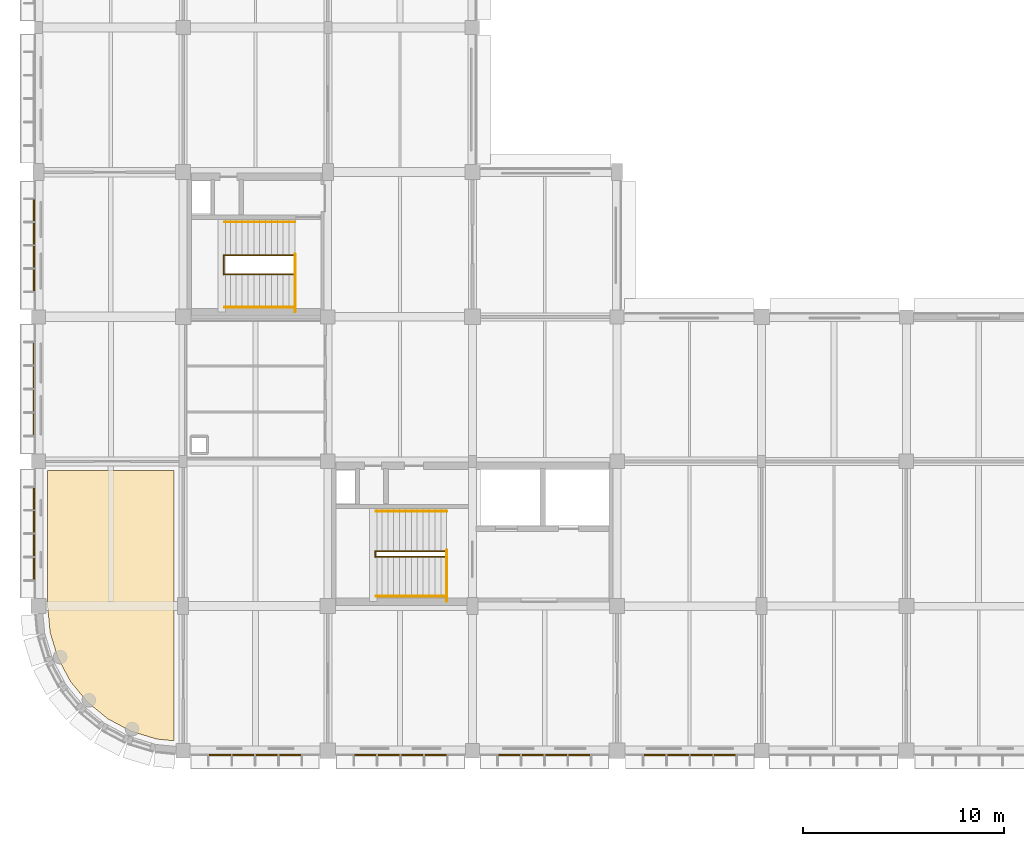
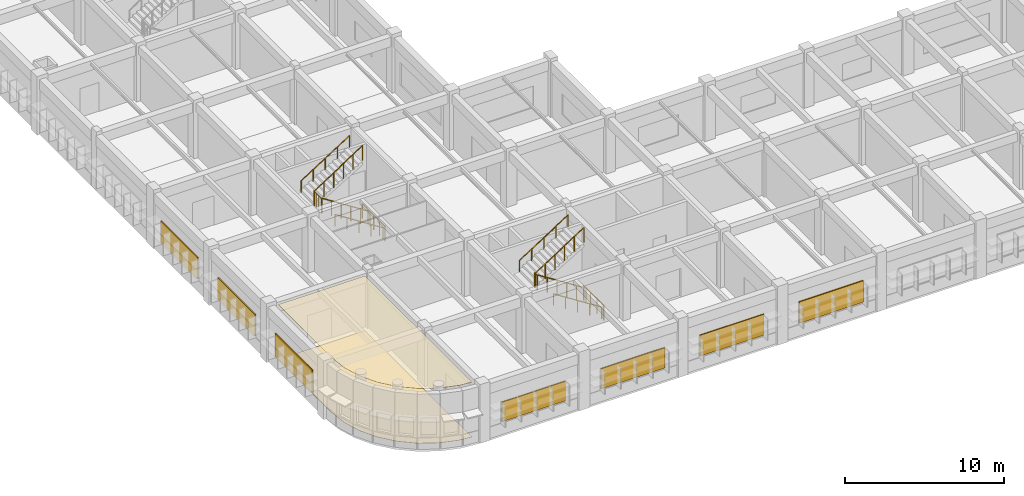
# One storey, part 55 of 61: 12 railings, 7 shading devices, 2 coverings.
"""IFC4 building model written with IfcOpenShell, lengths in metres."""

from ifc_helpers import new_model, si_unit, direction, frame, origin, origin_2d, place, context, subcontext, project, spatial, polyline, rectangle, circle, outline, extrude, material, layer, layer_set, type_object, element, save


model = new_model("IFC4")

# Units and contexts
model_context = context("Model", 3, precision=1e-05, world=origin(), true_north=direction((0.0, 1.0)))
body_context = subcontext(model_context, "Body", "Model", "MODEL_VIEW")
ifc_project = project(units=[si_unit("LENGTHUNIT", "METRE"), si_unit("AREAUNIT", "SQUARE_METRE"), si_unit("VOLUMEUNIT", "CUBIC_METRE"), si_unit("PLANEANGLEUNIT", "RADIAN"), si_unit("MASSUNIT", "GRAM", prefix="KILO")], contexts=[model_context])

# Site, building, storey
site_placement = place(None, origin())
site = spatial("IfcSite", under=ifc_project, at=site_placement, CompositionType="ELEMENT")
building_placement = place(site_placement, origin())
building = spatial("IfcBuilding", under=site, at=building_placement, Name="Thalmaran Polytechnic", CompositionType="ELEMENT")
storey_placement = place(building_placement, frame((0.0, 0.0, 9.89990234375)))
storey = spatial("IfcBuildingStorey", under=building, at=storey_placement, Name="L02", CompositionType="ELEMENT", Elevation=9.89990234375)

# Coverings
ifc_material_1 = material(Name="Acoustic mineral fibre ceiling")
ifc_layer_1 = layer(ifc_material_1, 0.02490234375, Name="Acoustic mineral fibre ceiling")
ifc_layer_set_1 = layer_set([ifc_layer_1], Name="Acoustic mineral fibre ceiling")
covering_type_1 = type_object("IfcCoveringType", Name="CV-CL01", PredefinedType="CEILING", material=ifc_layer_set_1)
covering_1_placement = place(storey_placement, frame((0.0, 0.0, 4.2001953125)))
element("IfcCovering", 1, at=covering_1_placement, inside=storey, type_object=covering_type_1, Name="Industrial Design Studio L02-01 Acoustic Ceiling", PredefinedType="CEILING", context=body_context, shape_type="SweptSolid", body=[
    extrude(outline(polyline([(6.75, 0.49658203125), (5.883544921875, 0.581787109375), (4.61767578125, 0.9658203125), (3.451171875, 1.58935546875), (2.428466796875, 2.428466796875), (1.58935546875, 3.451171875), (0.9658203125, 4.61767578125), (0.581787109375, 5.883544921875), (0.449951171875, 7.22216796875), (0.449951171875, 13.949951171875), (6.75, 13.949951171875), (6.75, 0.49658203125)])), origin(), (0.0, 0.0, 1.0), 0.02490234375),
])
ifc_material_2 = material(Name="Polished terrazzo and epoxy lab flooring")
ifc_layer_2 = layer(ifc_material_2, 0.02001953125, Name="Polished terrazzo and epoxy lab flooring")
ifc_layer_set_2 = layer_set([ifc_layer_2], Name="Polished terrazzo and epoxy lab flooring")
covering_type_2 = type_object("IfcCoveringType", Name="CV-FL01", PredefinedType="FLOORING", material=ifc_layer_set_2)
covering_2_placement = place(storey_placement, origin())
element("IfcCovering", 2, at=covering_2_placement, inside=storey, type_object=covering_type_2, Name="Industrial Design Studio L02-01 Specialist Finish Flooring", PredefinedType="FLOORING", context=body_context, shape_type="SweptSolid", body=[
    extrude(outline(polyline([(6.75, 0.49658203125), (5.883544921875, 0.581787109375), (4.61767578125, 0.9658203125), (3.451171875, 1.58935546875), (2.428466796875, 2.428466796875), (1.58935546875, 3.451171875), (0.9658203125, 4.61767578125), (0.581787109375, 5.883544921875), (0.449951171875, 7.22216796875), (0.449951171875, 13.949951171875), (6.75, 13.949951171875), (6.75, 0.49658203125)])), origin(), (0.0, 0.0, 1.0), 0.02001953125),
])

# Railings
ifc_material_3 = material(Name="Stainless steel 316", Category="steel")
railing_type_1 = type_object("IfcRailingType", Name="RL-GR01", PredefinedType="GUARDRAIL", material=ifc_material_3)
railing_1_placement = place(storey_placement, frame((20.330078125, 7.449951171875, 0.0)))
element("IfcRailing", 3, at=railing_1_placement, inside=storey, type_object=railing_type_1, Name="ST1 L02 Landing Edge Guardrail", PredefinedType="GUARDRAIL", context=body_context, shape_type="SweptSolid", body=[
    extrude(circle(Radius=0.02392578125, at=origin_2d()), frame((0.0, 0.0, 1.1259765625), z_axis=(0.0, 1.0, 0.0), x_axis=(-1.0, 0.0, 0.0)), (0.0, 0.0, 1.0), 2.530029296875),
    extrude(circle(Radius=0.02099609375, at=origin_2d()), origin(), (0.0, 0.0, 1.0), 1.101806640625),
    extrude(circle(Radius=0.02099609375, at=origin_2d()), frame((0.0, 0.84326171875, 0.0)), (0.0, 0.0, 1.0), 1.101806640625),
    extrude(circle(Radius=0.02099609375, at=origin_2d()), frame((0.0, 1.686767578125, 0.0)), (0.0, 0.0, 1.0), 1.101806640625),
    extrude(circle(Radius=0.02099609375, at=origin_2d()), frame((0.0, 2.530029296875, 0.0)), (0.0, 0.0, 1.0), 1.101806640625),
])
railing_2_placement = place(storey_placement, frame((20.320068359375, 9.659912109375, 0.0)))
element("IfcRailing", 4, at=railing_2_placement, inside=storey, type_object=railing_type_1, Name="ST1 L02 Lower Flight Guardrail", PredefinedType="GUARDRAIL", context=body_context, shape_type="SweptSolid", body=[
    extrude(circle(Radius=0.02392578125, at=origin_2d()), frame((0.0, 0.0, 1.1259765625), z_axis=(-0.84257692701, 0.0, 0.53857601327), x_axis=(0.0, -1.0, 0.0)), (0.0, 0.0, 1.0), 4.177734375),
    extrude(circle(Radius=0.02099609375, at=origin_2d()), origin(), (0.0, 0.0, 1.0), 1.101806640625),
    extrude(circle(Radius=0.02099609375, at=origin_2d()), frame((-0.7041015625, 0.0, 0.449951171875)), (0.0, 0.0, 1.0), 1.101806640625),
    extrude(circle(Radius=0.02099609375, at=origin_2d()), frame((-1.407958984375, 0.0, 0.89990234375)), (0.0, 0.0, 1.0), 1.101806640625),
    extrude(circle(Radius=0.02099609375, at=origin_2d()), frame((-2.112060546875, 0.0, 1.35009765625)), (0.0, 0.0, 1.0), 1.101806640625),
    extrude(circle(Radius=0.02099609375, at=origin_2d()), frame((-2.81591796875, 0.0, 1.800048828125)), (0.0, 0.0, 1.0), 1.101806640625),
    extrude(circle(Radius=0.02099609375, at=origin_2d()), frame((-3.52001953125, 0.0, 2.25)), (0.0, 0.0, 1.0), 1.101806640625),
])
railing_3_placement = place(storey_placement, frame((16.760009765625, 9.639892578125, 2.25)))
element("IfcRailing", 5, at=railing_3_placement, inside=storey, type_object=railing_type_1, Name="ST1 L02 Half-Landing Well Guardrail", PredefinedType="GUARDRAIL", context=body_context, shape_type="SweptSolid", body=[
    extrude(circle(Radius=0.02392578125, at=origin_2d()), frame((0.0, 0.0, 1.1259765625), z_axis=(0.0, 1.0, 0.0), x_axis=(-1.0, 0.0, 0.0)), (0.0, 0.0, 1.0), 0.300048828125),
    extrude(circle(Radius=0.02099609375, at=origin_2d()), origin(), (0.0, 0.0, 1.0), 1.101806640625),
    extrude(circle(Radius=0.02099609375, at=origin_2d()), frame((0.0, 0.300048828125, 0.0)), (0.0, 0.0, 1.0), 1.101806640625),
])
railing_4_placement = place(storey_placement, frame((16.800048828125, 9.919921875, 2.25)))
element("IfcRailing", 6, at=railing_4_placement, inside=storey, type_object=railing_type_1, Name="ST1 L02 Upper Flight Guardrail", PredefinedType="GUARDRAIL", context=body_context, shape_type="SweptSolid", body=[
    extrude(circle(Radius=0.02392578125, at=origin_2d()), frame((0.0, 0.0, 1.1259765625), z_axis=(0.84257692701, 0.0, 0.53857601327), x_axis=(0.0, 1.0, 0.0)), (0.0, 0.0, 1.0), 4.177734375),
    extrude(circle(Radius=0.02099609375, at=origin_2d()), origin(), (0.0, 0.0, 1.0), 1.101806640625),
    extrude(circle(Radius=0.02099609375, at=origin_2d()), frame((0.7041015625, 0.0, 0.449951171875)), (0.0, 0.0, 1.0), 1.101806640625),
    extrude(circle(Radius=0.02099609375, at=origin_2d()), frame((1.407958984375, 0.0, 0.89990234375)), (0.0, 0.0, 1.0), 1.101806640625),
    extrude(circle(Radius=0.02099609375, at=origin_2d()), frame((2.112060546875, 0.0, 1.35009765625)), (0.0, 0.0, 1.0), 1.101806640625),
    extrude(circle(Radius=0.02099609375, at=origin_2d()), frame((2.81591796875, 0.0, 1.800048828125)), (0.0, 0.0, 1.0), 1.101806640625),
    extrude(circle(Radius=0.02099609375, at=origin_2d()), frame((3.52001953125, 0.0, 2.25)), (0.0, 0.0, 1.0), 1.101806640625),
])
railing_5_placement = place(storey_placement, frame((12.77001953125, 21.85009765625, 0.0)))
element("IfcRailing", 7, at=railing_5_placement, inside=storey, type_object=railing_type_1, Name="ST3 L02 Landing Edge Guardrail", PredefinedType="GUARDRAIL", context=body_context, shape_type="SweptSolid", body=[
    extrude(circle(Radius=0.02392578125, at=origin_2d()), frame((0.0, 0.0, 1.1259765625), z_axis=(0.0, 1.0, 0.0), x_axis=(-1.0, 0.0, 0.0)), (0.0, 0.0, 1.0), 2.869873046875),
    extrude(circle(Radius=0.02099609375, at=origin_2d()), origin(), (0.0, 0.0, 1.0), 1.101806640625),
    extrude(circle(Radius=0.02099609375, at=origin_2d()), frame((0.0, 0.717529296875, 0.0)), (0.0, 0.0, 1.0), 1.101806640625),
    extrude(circle(Radius=0.02099609375, at=origin_2d()), frame((0.0, 1.43505859375, 0.0)), (0.0, 0.0, 1.0), 1.101806640625),
    extrude(circle(Radius=0.02099609375, at=origin_2d()), frame((0.0, 2.15234375, 0.0)), (0.0, 0.0, 1.0), 1.101806640625),
    extrude(circle(Radius=0.02099609375, at=origin_2d()), frame((0.0, 2.869873046875, 0.0)), (0.0, 0.0, 1.0), 1.101806640625),
])
railing_6_placement = place(storey_placement, frame((12.760009765625, 23.719970703125, 0.0)))
element("IfcRailing", 8, at=railing_6_placement, inside=storey, type_object=railing_type_1, Name="ST3 L02 Lower Flight Guardrail", PredefinedType="GUARDRAIL", context=body_context, shape_type="SweptSolid", body=[
    extrude(circle(Radius=0.02392578125, at=origin_2d()), frame((0.0, 0.0, 1.1259765625), z_axis=(-0.841178475377, 0.0, 0.540757591313), x_axis=(0.0, -1.0, 0.0)), (0.0, 0.0, 1.0), 4.160888671875),
    extrude(circle(Radius=0.02099609375, at=origin_2d()), origin(), (0.0, 0.0, 1.0), 1.101806640625),
    extrude(circle(Radius=0.02099609375, at=origin_2d()), frame((-0.699951171875, 0.0, 0.449951171875)), (0.0, 0.0, 1.0), 1.101806640625),
    extrude(circle(Radius=0.02099609375, at=origin_2d()), frame((-1.39990234375, 0.0, 0.89990234375)), (0.0, 0.0, 1.0), 1.101806640625),
    extrude(circle(Radius=0.02099609375, at=origin_2d()), frame((-2.10009765625, 0.0, 1.35009765625)), (0.0, 0.0, 1.0), 1.101806640625),
    extrude(circle(Radius=0.02099609375, at=origin_2d()), frame((-2.800048828125, 0.0, 1.800048828125)), (0.0, 0.0, 1.0), 1.101806640625),
    extrude(circle(Radius=0.02099609375, at=origin_2d()), frame((-3.5, 0.0, 2.25)), (0.0, 0.0, 1.0), 1.101806640625),
])
railing_7_placement = place(storey_placement, frame((9.219970703125, 23.699951171875, 2.25)))
element("IfcRailing", 9, at=railing_7_placement, inside=storey, type_object=railing_type_1, Name="ST3 L02 Half-Landing Well Guardrail", PredefinedType="GUARDRAIL", context=body_context, shape_type="SweptSolid", body=[
    extrude(circle(Radius=0.02392578125, at=origin_2d()), frame((0.0, 0.0, 1.1259765625), z_axis=(0.0, 1.0, 0.0), x_axis=(-1.0, 0.0, 0.0)), (0.0, 0.0, 1.0), 0.97998046875),
    extrude(circle(Radius=0.02099609375, at=origin_2d()), origin(), (0.0, 0.0, 1.0), 1.101806640625),
    extrude(circle(Radius=0.02099609375, at=origin_2d()), frame((0.0, 0.32666015625, 0.0)), (0.0, 0.0, 1.0), 1.101806640625),
    extrude(circle(Radius=0.02099609375, at=origin_2d()), frame((0.0, 0.6533203125, 0.0)), (0.0, 0.0, 1.0), 1.101806640625),
    extrude(circle(Radius=0.02099609375, at=origin_2d()), frame((0.0, 0.97998046875, 0.0)), (0.0, 0.0, 1.0), 1.101806640625),
])
railing_8_placement = place(storey_placement, frame((9.260009765625, 24.659912109375, 2.25)))
element("IfcRailing", 10, at=railing_8_placement, inside=storey, type_object=railing_type_1, Name="ST3 L02 Upper Flight Guardrail", PredefinedType="GUARDRAIL", context=body_context, shape_type="SweptSolid", body=[
    extrude(circle(Radius=0.02392578125, at=origin_2d()), frame((0.0, 0.0, 1.1259765625), z_axis=(0.841178475377, 0.0, 0.540757591313), x_axis=(0.0, 1.0, 0.0)), (0.0, 0.0, 1.0), 4.160888671875),
    extrude(circle(Radius=0.02099609375, at=origin_2d()), origin(), (0.0, 0.0, 1.0), 1.101806640625),
    extrude(circle(Radius=0.02099609375, at=origin_2d()), frame((0.699951171875, 0.0, 0.449951171875)), (0.0, 0.0, 1.0), 1.101806640625),
    extrude(circle(Radius=0.02099609375, at=origin_2d()), frame((1.39990234375, 0.0, 0.89990234375)), (0.0, 0.0, 1.0), 1.101806640625),
    extrude(circle(Radius=0.02099609375, at=origin_2d()), frame((2.10009765625, 0.0, 1.35009765625)), (0.0, 0.0, 1.0), 1.101806640625),
    extrude(circle(Radius=0.02099609375, at=origin_2d()), frame((2.800048828125, 0.0, 1.800048828125)), (0.0, 0.0, 1.0), 1.101806640625),
    extrude(circle(Radius=0.02099609375, at=origin_2d()), frame((3.5, 0.0, 2.25)), (0.0, 0.0, 1.0), 1.101806640625),
])
railing_type_2 = type_object("IfcRailingType", Name="RL-HR01", PredefinedType="HANDRAIL", material=ifc_material_3)
railing_9_placement = place(storey_placement, frame((20.320068359375, 7.679931640625, 0.0)))
element("IfcRailing", 11, at=railing_9_placement, inside=storey, type_object=railing_type_2, Name="ST1 L02 Flight 1 Handrail", PredefinedType="HANDRAIL", context=body_context, shape_type="SweptSolid", body=[
    extrude(circle(Radius=0.02392578125, at=origin_2d()), frame((0.0, 0.0, 0.8759765625), z_axis=(-0.84257692701, 0.0, 0.53857601327), x_axis=(0.0, -1.0, 0.0)), (0.0, 0.0, 1.0), 4.177734375),
    extrude(circle(Radius=0.02099609375, at=origin_2d()), origin(), (0.0, 0.0, 1.0), 0.851806640625),
    extrude(circle(Radius=0.02099609375, at=origin_2d()), frame((-0.8798828125, 0.0, 0.5625)), (0.0, 0.0, 1.0), 0.851806640625),
    extrude(circle(Radius=0.02099609375, at=origin_2d()), frame((-1.760009765625, 0.0, 1.125)), (0.0, 0.0, 1.0), 0.851806640625),
    extrude(circle(Radius=0.02099609375, at=origin_2d()), frame((-2.64013671875, 0.0, 1.6875)), (0.0, 0.0, 1.0), 0.851806640625),
    extrude(circle(Radius=0.02099609375, at=origin_2d()), frame((-3.52001953125, 0.0, 2.25)), (0.0, 0.0, 1.0), 0.851806640625),
])
railing_10_placement = place(storey_placement, frame((16.800048828125, 11.919921875, 2.25)))
element("IfcRailing", 12, at=railing_10_placement, inside=storey, type_object=railing_type_2, Name="ST1 L02 Flight 2 Handrail", PredefinedType="HANDRAIL", context=body_context, shape_type="SweptSolid", body=[
    extrude(circle(Radius=0.02392578125, at=origin_2d()), frame((0.0, 0.0, 0.8759765625), z_axis=(0.84257692701, 0.0, 0.53857601327), x_axis=(0.0, 1.0, 0.0)), (0.0, 0.0, 1.0), 4.177734375),
    extrude(circle(Radius=0.02099609375, at=origin_2d()), origin(), (0.0, 0.0, 1.0), 0.851806640625),
    extrude(circle(Radius=0.02099609375, at=origin_2d()), frame((0.8798828125, 0.0, 0.5625)), (0.0, 0.0, 1.0), 0.851806640625),
    extrude(circle(Radius=0.02099609375, at=origin_2d()), frame((1.760009765625, 0.0, 1.125)), (0.0, 0.0, 1.0), 0.851806640625),
    extrude(circle(Radius=0.02099609375, at=origin_2d()), frame((2.64013671875, 0.0, 1.6875)), (0.0, 0.0, 1.0), 0.851806640625),
    extrude(circle(Radius=0.02099609375, at=origin_2d()), frame((3.52001953125, 0.0, 2.25)), (0.0, 0.0, 1.0), 0.851806640625),
])
railing_11_placement = place(storey_placement, frame((12.760009765625, 22.080078125, 0.0)))
element("IfcRailing", 13, at=railing_11_placement, inside=storey, type_object=railing_type_2, Name="ST3 L02 Flight 1 Handrail", PredefinedType="HANDRAIL", context=body_context, shape_type="SweptSolid", body=[
    extrude(circle(Radius=0.02392578125, at=origin_2d()), frame((0.0, 0.0, 0.8759765625), z_axis=(-0.841178475377, 0.0, 0.540757591313), x_axis=(0.0, -1.0, 0.0)), (0.0, 0.0, 1.0), 4.160888671875),
    extrude(circle(Radius=0.02099609375, at=origin_2d()), origin(), (0.0, 0.0, 1.0), 0.851806640625),
    extrude(circle(Radius=0.02099609375, at=origin_2d()), frame((-0.875, 0.0, 0.5625)), (0.0, 0.0, 1.0), 0.851806640625),
    extrude(circle(Radius=0.02099609375, at=origin_2d()), frame((-1.75, 0.0, 1.125)), (0.0, 0.0, 1.0), 0.851806640625),
    extrude(circle(Radius=0.02099609375, at=origin_2d()), frame((-2.625, 0.0, 1.6875)), (0.0, 0.0, 1.0), 0.851806640625),
    extrude(circle(Radius=0.02099609375, at=origin_2d()), frame((-3.5, 0.0, 2.25)), (0.0, 0.0, 1.0), 0.851806640625),
])
railing_12_placement = place(storey_placement, frame((9.260009765625, 26.320068359375, 2.25)))
element("IfcRailing", 14, at=railing_12_placement, inside=storey, type_object=railing_type_2, Name="ST3 L02 Flight 2 Handrail", PredefinedType="HANDRAIL", context=body_context, shape_type="SweptSolid", body=[
    extrude(circle(Radius=0.02392578125, at=origin_2d()), frame((0.0, 0.0, 0.8759765625), z_axis=(0.841178475377, 0.0, 0.540757591313), x_axis=(0.0, 1.0, 0.0)), (0.0, 0.0, 1.0), 4.160888671875),
    extrude(circle(Radius=0.02099609375, at=origin_2d()), origin(), (0.0, 0.0, 1.0), 0.851806640625),
    extrude(circle(Radius=0.02099609375, at=origin_2d()), frame((0.875, 0.0, 0.5625)), (0.0, 0.0, 1.0), 0.851806640625),
    extrude(circle(Radius=0.02099609375, at=origin_2d()), frame((1.75, 0.0, 1.125)), (0.0, 0.0, 1.0), 0.851806640625),
    extrude(circle(Radius=0.02099609375, at=origin_2d()), frame((2.625, 0.0, 1.6875)), (0.0, 0.0, 1.0), 0.851806640625),
    extrude(circle(Radius=0.02099609375, at=origin_2d()), frame((3.5, 0.0, 2.25)), (0.0, 0.0, 1.0), 0.851806640625),
])

# Shading devices
ifc_material_4 = material(Name="Perforated anodised-bronze aluminium screen", Category="aluminium")
ifc_layer_3 = layer(ifc_material_4, 0.080078125, Name="Perforated anodised-bronze aluminium screen")
ifc_layer_set_3 = layer_set([ifc_layer_3], Name="Perforated anodised-bronze aluminium screen")
shading_device_type = type_object("IfcShadingDeviceType", Name="SH-JL01", PredefinedType="JALOUSIE", material=ifc_layer_set_3)
shading_device_1_placement = place(storey_placement, frame((-0.219970703125, 10.800048828125, 1.025146484375), z_axis=(0.0, 0.0, 1.0), x_axis=(0.0, 1.0, 0.0)))
element("IfcShadingDevice", 15, at=shading_device_1_placement, inside=storey, type_object=shading_device_type, Name="Anodised-Bronze Mashrabiya Solar Screen L02-002", PredefinedType="JALOUSIE", context=body_context, shape_type="SweptSolid", body=[
    extrude(rectangle(XDim=4.65478515625, YDim=0.080078125, at=origin_2d()), origin(), (0.0, 0.0, 1.0), 1.75),
])
shading_device_2_placement = place(storey_placement, frame((-0.219970703125, 18.0, 1.025146484375), z_axis=(0.0, 0.0, 1.0), x_axis=(0.0, 1.0, 0.0)))
element("IfcShadingDevice", 16, at=shading_device_2_placement, inside=storey, type_object=shading_device_type, Name="Anodised-Bronze Mashrabiya Solar Screen L02-003", PredefinedType="JALOUSIE", context=body_context, shape_type="SweptSolid", body=[
    extrude(rectangle(XDim=4.6728515625, YDim=0.080078125, at=origin_2d()), origin(), (0.0, 0.0, 1.0), 1.64990234375),
])
shading_device_3_placement = place(storey_placement, frame((-0.219970703125, 25.199951171875, 1.025146484375), z_axis=(0.0, 0.0, 1.0), x_axis=(0.0, 1.0, 0.0)))
element("IfcShadingDevice", 17, at=shading_device_3_placement, inside=storey, type_object=shading_device_type, Name="Anodised-Bronze Mashrabiya Solar Screen L02-004", PredefinedType="JALOUSIE", context=body_context, shape_type="SweptSolid", body=[
    extrude(rectangle(XDim=4.6259765625, YDim=0.080078125, at=origin_2d()), origin(), (0.0, 0.0, 1.0), 1.64990234375),
])
shading_device_4_placement = place(storey_placement, frame((32.39990234375, -0.219970703125, 1.025146484375), z_axis=(0.0, 0.0, 1.0), x_axis=(-1.0, 0.0, 0.0)))
element("IfcShadingDevice", 18, at=shading_device_4_placement, inside=storey, type_object=shading_device_type, Name="Anodised-Bronze Mashrabiya Solar Screen L02-088", PredefinedType="JALOUSIE", context=body_context, shape_type="SweptSolid", body=[
    extrude(rectangle(XDim=4.651123046875, YDim=0.080078125, at=origin_2d()), origin(), (0.0, 0.0, 1.0), 1.64990234375),
])
shading_device_5_placement = place(storey_placement, frame((25.199951171875, -0.219970703125, 1.025146484375), z_axis=(0.0, 0.0, 1.0), x_axis=(-1.0, 0.0, 0.0)))
element("IfcShadingDevice", 19, at=shading_device_5_placement, inside=storey, type_object=shading_device_type, Name="Anodised-Bronze Mashrabiya Solar Screen L02-089", PredefinedType="JALOUSIE", context=body_context, shape_type="SweptSolid", body=[
    extrude(rectangle(XDim=4.651123046875, YDim=0.080078125, at=origin_2d()), origin(), (0.0, 0.0, 1.0), 1.60009765625),
])
shading_device_6_placement = place(storey_placement, frame((18.0, -0.219970703125, 1.02490234375), z_axis=(0.0, 0.0, 1.0), x_axis=(-1.0, 0.0, 0.0)))
element("IfcShadingDevice", 20, at=shading_device_6_placement, inside=storey, type_object=shading_device_type, Name="Anodised-Bronze Mashrabiya Solar Screen L02-090", PredefinedType="JALOUSIE", context=body_context, shape_type="SweptSolid", body=[
    extrude(rectangle(XDim=4.651123046875, YDim=0.080078125, at=origin_2d()), origin(), (0.0, 0.0, 1.0), 1.550048828125),
])
shading_device_7_placement = place(storey_placement, frame((10.800048828125, -0.219970703125, 1.025146484375), z_axis=(0.0, 0.0, 1.0), x_axis=(-1.0, 0.0, 0.0)))
element("IfcShadingDevice", 21, at=shading_device_7_placement, inside=storey, type_object=shading_device_type, Name="Anodised-Bronze Mashrabiya Solar Screen L02-091", PredefinedType="JALOUSIE", context=body_context, shape_type="SweptSolid", body=[
    extrude(rectangle(XDim=4.651123046875, YDim=0.080078125, at=origin_2d()), origin(), (0.0, 0.0, 1.0), 1.5),
])

save(model, "model.ifc")
